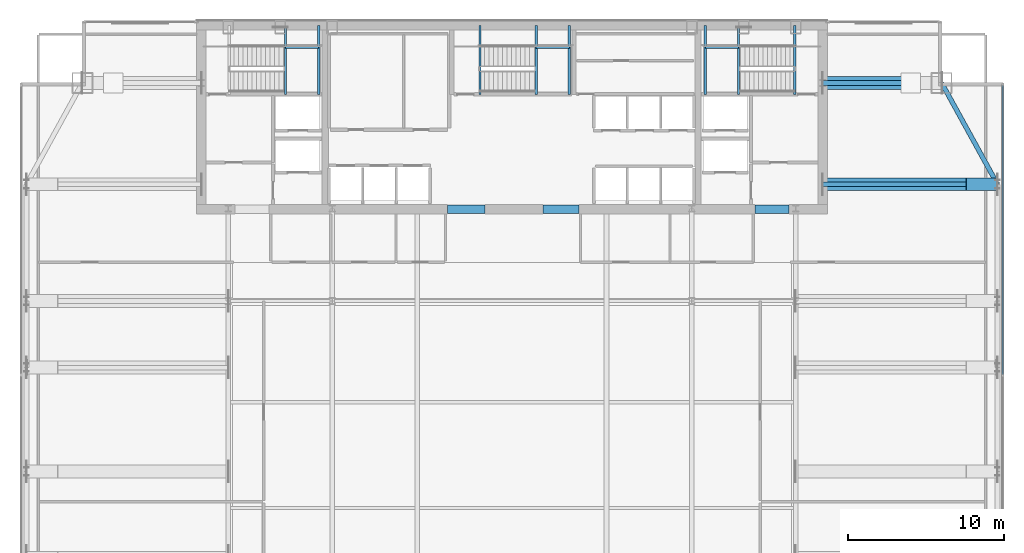
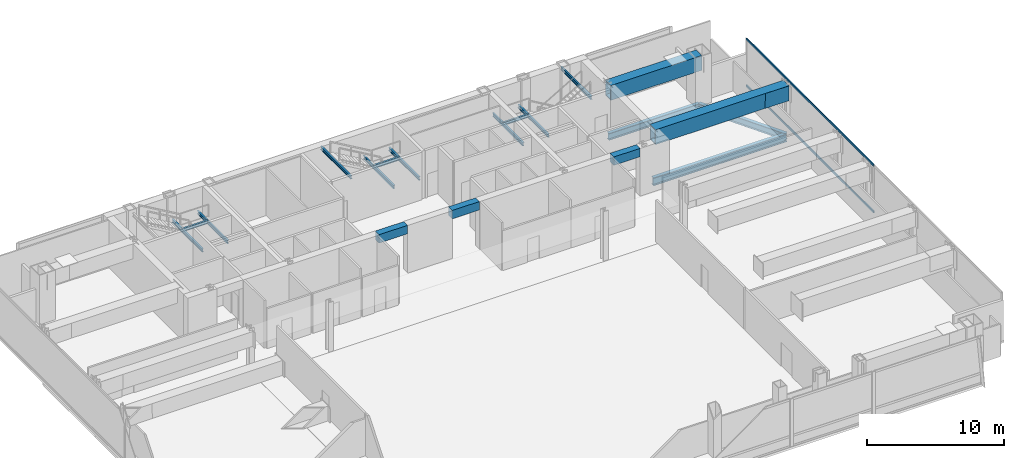
# One storey, part 18 of 25: 20 beams, 2 members, 1 element without a shape of its own.
"""IFC4 building model written with IfcOpenShell, lengths in metres."""

from ifc_helpers import new_model, si_unit, direction, frame, origin, origin_2d, place, context, subcontext, project, spatial, rectangle, hollow_rectangle, i_section, extrude, material, material_profile, profile_set, type_object, element, aggregate, save


model = new_model("IFC4")

# Units and contexts
model_context = context("Model", 3, precision=1e-05, world=origin(), true_north=direction((0.0, 1.0)))
body_context = subcontext(model_context, "Body", "Model", "MODEL_VIEW")
ifc_project = project(units=[si_unit("LENGTHUNIT", "METRE"), si_unit("AREAUNIT", "SQUARE_METRE"), si_unit("VOLUMEUNIT", "CUBIC_METRE"), si_unit("PLANEANGLEUNIT", "RADIAN"), si_unit("MASSUNIT", "GRAM", prefix="KILO")], contexts=[model_context])

# Site, building, storey
site_placement = place(None, origin())
site = spatial("IfcSite", under=ifc_project, at=site_placement, CompositionType="ELEMENT")
building_placement = place(site_placement, origin())
building = spatial("IfcBuilding", under=site, at=building_placement, Name="Khoronbel Lancet Exchange", CompositionType="ELEMENT")
storey_placement = place(building_placement, frame((0.0, 0.0, 184.199951171875)))
storey = spatial("IfcBuildingStorey", under=building, at=storey_placement, Name="L46", CompositionType="ELEMENT", Elevation=184.199951171875)

# Beams
ifc_material_1 = material(Name="Steel S355", Category="steel")
ifc_material_profile_1 = material_profile(ifc_material_1, i_section(OverallWidth=0.300048828125, OverallDepth=0.699951171875, WebThickness=0.01708984375, FlangeThickness=0.031982421875, at=origin_2d()), Name="HEB 700")
ifc_profile_set_1 = profile_set([ifc_material_profile_1], Name="Steel S355")
beam_type_1 = type_object("IfcBeamType", Name="BM-BG3", PredefinedType="BEAM", material=ifc_profile_set_1)
beam_1_placement = place(storey_placement, frame((56.39990234375, 43.199951171875, -0.550048828125), z_axis=(1.0, 0.0, 0.0), x_axis=(0.0, 1.0, 0.0)))
element("IfcBeam", 1, at=beam_1_placement, inside=storey, type_object=beam_type_1, Name="Level L46 east lens tie girder LG3E", PredefinedType="BEAM", context=body_context, shape_type="SweptSolid", body=[
    extrude(i_section(OverallWidth=0.300048828125, OverallDepth=0.699951171875, WebThickness=0.01708984375, FlangeThickness=0.031982421875, at=origin_2d()), origin(), (0.0, 0.0, 1.0), 11.22998046875),
])
ifc_material_profile_2 = material_profile(ifc_material_1, i_section(OverallWidth=0.14990234375, OverallDepth=0.300048828125, WebThickness=0.007080078125, FlangeThickness=0.0107421875, at=origin_2d()), Name="IPE 300")
ifc_profile_set_2 = profile_set([ifc_material_profile_2], Name="Steel S355")
beam_type_2 = type_object("IfcBeamType", Name="BM-BJ8", PredefinedType="JOIST", material=ifc_profile_set_2)
for number, where, z_axis, x_axis, name in (
    (2, (21.89990234375, 48.97998046875, 1.85009765625), (0.0, 1.0, 0.0), (-1.0, 0.0, 0.0), "Level L46 stair ST1 landing bearer beam 1"),
    (3, (24.030029296875, 48.97998046875, 1.85009765625), (0.0, 1.0, 0.0), (-1.0, 0.0, 0.0), "Level L46 stair ST1 rear landing bearer beam 1"),
):
    element("IfcBeam", number, at=place(storey_placement, frame(where, z_axis=z_axis, x_axis=x_axis)), inside=storey, type_object=beam_type_2, Name=name, PredefinedType="JOIST", context=body_context, shape_type="SweptSolid", body=[
        extrude(i_section(OverallWidth=0.14990234375, OverallDepth=0.300048828125, WebThickness=0.007080078125, FlangeThickness=0.0107421875, at=origin_2d()), origin(), (0.0, 0.0, 1.0), 4.419921875),
    ])
beam_2_placement = place(storey_placement, frame((21.89990234375, 51.97998046875, 1.85009765625), z_axis=(1.0, 0.0, 0.0), x_axis=(0.0, 1.0, 0.0)))
element("IfcBeam", 4, at=beam_2_placement, inside=storey, type_object=beam_type_2, Name="Level L46 stair ST1 landing cross trimmer beam 1", PredefinedType="JOIST", context=body_context, shape_type="SweptSolid", body=[
    extrude(i_section(OverallWidth=0.14990234375, OverallDepth=0.300048828125, WebThickness=0.007080078125, FlangeThickness=0.0107421875, at=origin_2d()), origin(), (0.0, 0.0, 1.0), 2.130126953125),
])
for number, where, z_axis, x_axis, name in (
    (5, (51.0, 48.97998046875, 1.85009765625), (0.0, 1.0, 0.0), (-1.0, 0.0, 0.0), "Level L46 stair ST2 landing bearer beam 1"),
    (6, (48.8701171875, 48.97998046875, 1.85009765625), (0.0, 1.0, 0.0), (-1.0, 0.0, 0.0), "Level L46 stair ST2 rear landing bearer beam 1"),
):
    element("IfcBeam", number, at=place(storey_placement, frame(where, z_axis=z_axis, x_axis=x_axis)), inside=storey, type_object=beam_type_2, Name=name, PredefinedType="JOIST", context=body_context, shape_type="SweptSolid", body=[
        extrude(i_section(OverallWidth=0.14990234375, OverallDepth=0.300048828125, WebThickness=0.007080078125, FlangeThickness=0.0107421875, at=origin_2d()), origin(), (0.0, 0.0, 1.0), 4.419921875),
    ])
beam_3_placement = place(storey_placement, frame((48.8701171875, 51.97998046875, 1.85009765625), z_axis=(1.0, 0.0, 0.0), x_axis=(0.0, 1.0, 0.0)))
element("IfcBeam", 7, at=beam_3_placement, inside=storey, type_object=beam_type_2, Name="Level L46 stair ST2 landing cross trimmer beam 1", PredefinedType="JOIST", context=body_context, shape_type="SweptSolid", body=[
    extrude(i_section(OverallWidth=0.14990234375, OverallDepth=0.300048828125, WebThickness=0.007080078125, FlangeThickness=0.0107421875, at=origin_2d()), origin(), (0.0, 0.0, 1.0), 2.1298828125),
])
for number, where, z_axis, x_axis, name in (
    (8, (54.60009765625, 48.97998046875, 3.9599609375), (0.0, 1.0, 0.0), (-1.0, 0.0, 0.0), "Level L46 stair ST2 upper-flight arrival trimmer beam"),
    (9, (38.0, 48.97998046875, 1.85009765625), (0.0, 1.0, 0.0), (-1.0, 0.0, 0.0), "Level L46 stair ST3 landing bearer beam 1"),
    (10, (40.1298828125, 48.97998046875, 1.85009765625), (0.0, 1.0, 0.0), (-1.0, 0.0, 0.0), "Level L46 stair ST3 rear landing bearer beam 1"),
):
    element("IfcBeam", number, at=place(storey_placement, frame(where, z_axis=z_axis, x_axis=x_axis)), inside=storey, type_object=beam_type_2, Name=name, PredefinedType="JOIST", context=body_context, shape_type="SweptSolid", body=[
        extrude(i_section(OverallWidth=0.14990234375, OverallDepth=0.300048828125, WebThickness=0.007080078125, FlangeThickness=0.0107421875, at=origin_2d()), origin(), (0.0, 0.0, 1.0), 4.419921875),
    ])
beam_4_placement = place(storey_placement, frame((38.0, 51.97998046875, 1.85009765625), z_axis=(1.0, 0.0, 0.0), x_axis=(0.0, 1.0, 0.0)))
element("IfcBeam", 11, at=beam_4_placement, inside=storey, type_object=beam_type_2, Name="Level L46 stair ST3 landing cross trimmer beam 1", PredefinedType="JOIST", context=body_context, shape_type="SweptSolid", body=[
    extrude(i_section(OverallWidth=0.14990234375, OverallDepth=0.300048828125, WebThickness=0.007080078125, FlangeThickness=0.0107421875, at=origin_2d()), origin(), (0.0, 0.0, 1.0), 2.1298828125),
])
beam_5_placement = place(storey_placement, frame((34.39990234375, 48.97998046875, 3.9599609375), z_axis=(0.0, 1.0, 0.0), x_axis=(-1.0, 0.0, 0.0)))
element("IfcBeam", 12, at=beam_5_placement, inside=storey, type_object=beam_type_2, Name="Level L46 stair ST3 upper-flight arrival trimmer beam", PredefinedType="JOIST", context=body_context, shape_type="SweptSolid", body=[
    extrude(i_section(OverallWidth=0.14990234375, OverallDepth=0.300048828125, WebThickness=0.007080078125, FlangeThickness=0.0107421875, at=origin_2d()), origin(), (0.0, 0.0, 1.0), 4.419921875),
])
ifc_material_2 = material(Name="Concrete C60/75", Category="concrete")
ifc_material_profile_3 = material_profile(ifc_material_2, rectangle(XDim=0.550048828125, YDim=0.75, at=origin_2d()), Name="RC 550x750")
ifc_profile_set_3 = profile_set([ifc_material_profile_3], Name="Concrete C60/75")
beam_type_3 = type_object("IfcBeamType", Name="BM-BL2", PredefinedType="LINTEL", material=ifc_profile_set_3)
beam_6_placement = place(storey_placement, frame((32.300048828125, 41.60009765625, 3.864990234375), z_axis=(1.0, 0.0, 0.0), x_axis=(0.0, 1.0, 0.0)))
element("IfcBeam", 13, at=beam_6_placement, inside=storey, type_object=beam_type_3, Name="Level L46 rear core coupling lintel L2", PredefinedType="LINTEL", context=body_context, shape_type="SweptSolid", body=[
    extrude(rectangle(XDim=0.550048828125, YDim=0.75, at=origin_2d()), origin(), (0.0, 0.0, 1.0), 2.39990234375),
])
beam_7_placement = place(storey_placement, frame((38.449951171875, 41.60009765625, 3.864990234375), z_axis=(1.0, 0.0, 0.0), x_axis=(0.0, 1.0, 0.0)))
element("IfcBeam", 14, at=beam_7_placement, inside=storey, type_object=beam_type_3, Name="Level L46 rear core coupling lintel L3", PredefinedType="LINTEL", context=body_context, shape_type="SweptSolid", body=[
    extrude(rectangle(XDim=0.550048828125, YDim=0.75, at=origin_2d()), origin(), (0.0, 0.0, 1.0), 2.300048828125),
])
beam_8_placement = place(storey_placement, frame((52.050048828125, 41.60009765625, 3.864990234375), z_axis=(1.0, 0.0, 0.0), x_axis=(0.0, 1.0, 0.0)))
element("IfcBeam", 15, at=beam_8_placement, inside=storey, type_object=beam_type_3, Name="Level L46 rear core coupling lintel L4", PredefinedType="LINTEL", context=body_context, shape_type="SweptSolid", body=[
    extrude(rectangle(XDim=0.550048828125, YDim=0.75, at=origin_2d()), origin(), (0.0, 0.0, 1.0), 2.199951171875),
])
ifc_material_profile_4 = material_profile(ifc_material_1, i_section(OverallWidth=0.300048828125, OverallDepth=0.60009765625, WebThickness=0.015380859375, FlangeThickness=0.030029296875, at=origin_2d()), Name="HEB 600")
ifc_profile_set_4 = profile_set([ifc_material_profile_4], Name="Steel S355")
beam_type_4 = type_object("IfcBeamType", Name="BM-BSP2", PredefinedType="SPANDREL", material=ifc_profile_set_4)
beam_9_placement = place(storey_placement, frame((67.6298828125, 43.199951171875, -0.5), z_axis=(-0.482418808117, 0.875940690672, 0.0), x_axis=(-0.875940690672, -0.482418808117, 0.0)))
element("IfcBeam", 16, at=beam_9_placement, inside=storey, type_object=beam_type_4, Name="Level L46 perimeter spandrel beam SP15", PredefinedType="SPANDREL", context=body_context, shape_type="SweptSolid", body=[
    extrude(i_section(OverallWidth=0.300048828125, OverallDepth=0.60009765625, WebThickness=0.015380859375, FlangeThickness=0.030029296875, at=origin_2d()), origin(), (0.0, 0.0, 1.0), 7.420654296875),
])
beam_10_placement = place(storey_placement, frame((64.050048828125, 49.699951171875, -0.5), z_axis=(-1.0, 0.0, 0.0), x_axis=(0.0, -1.0, 0.0)))
element("IfcBeam", 17, at=beam_10_placement, inside=storey, type_object=beam_type_4, Name="Level L46 north flank tie spandrel SP23", PredefinedType="SPANDREL", context=body_context, shape_type="SweptSolid", body=[
    extrude(i_section(OverallWidth=0.300048828125, OverallDepth=0.60009765625, WebThickness=0.015380859375, FlangeThickness=0.030029296875, at=origin_2d()), origin(), (0.0, 0.0, 1.0), 7.650146484375),
])
ifc_material_3 = material(Name="Steel S460", Category="steel")
ifc_material_profile_5 = material_profile(ifc_material_3, hollow_rectangle(XDim=0.820068359375, YDim=1.320068359375, WallThickness=0.070068359375, at=origin_2d()), Name="BOX 820x1320x70")
ifc_profile_set_5 = profile_set([ifc_material_profile_5], Name="Steel S460")
beam_type_5 = type_object("IfcBeamType", Name="BM-TG4", PredefinedType="USERDEFINED", material=ifc_profile_set_5)
beam_11_placement = place(storey_placement, frame((67.6298828125, 43.199951171875, 3.56005859375), z_axis=(-0.99994990606, 0.0, 0.010009264196), x_axis=(0.0, -1.0, 0.0)))
element("IfcBeam", 18, at=beam_11_placement, inside=storey, type_object=beam_type_5, Name="Setback transfer knee-brace girder L46-EC-4", ObjectType="TRANSFER GIRDER", PredefinedType="USERDEFINED", context=body_context, shape_type="SweptSolid", body=[
    extrude(hollow_rectangle(XDim=0.820068359375, YDim=1.320068359375, WallThickness=0.070068359375, at=origin_2d()), origin(), (0.0, 0.0, 1.0), 2.0),
])
beam_12_placement = place(storey_placement, frame((56.39990234375, 49.699951171875, 3.580078125), z_axis=(1.0, 0.0, 0.0), x_axis=(0.0, 1.0, 0.0)))
element("IfcBeam", 19, at=beam_12_placement, inside=storey, type_object=beam_type_5, Name="Corner mega-column setback transfer girder L46-NE", ObjectType="TRANSFER GIRDER", PredefinedType="USERDEFINED", context=body_context, shape_type="SweptSolid", body=[
    extrude(hollow_rectangle(XDim=0.820068359375, YDim=1.320068359375, WallThickness=0.070068359375, at=origin_2d()), origin(), (0.0, 0.0, 1.0), 7.650146484375),
])
beam_13_placement = place(storey_placement, frame((56.39990234375, 43.199951171875, 3.580078125), z_axis=(1.0, 0.0, 0.0), x_axis=(0.0, 1.0, 0.0)))
element("IfcBeam", 20, at=beam_13_placement, inside=storey, type_object=beam_type_5, Name="Lens setback S460 transfer girder L46-E5", ObjectType="TRANSFER GIRDER", PredefinedType="USERDEFINED", context=body_context, shape_type="SweptSolid", body=[
    extrude(hollow_rectangle(XDim=0.820068359375, YDim=1.320068359375, WallThickness=0.070068359375, at=origin_2d()), origin(), (0.0, 0.0, 1.0), 11.22998046875),
])

# Curtain wall, members
ifc_material_4 = material(Name="Low-E Solar Control Insulating Glass", Category="glass")
curtain_wall_type = type_object("IfcCurtainWallType", Name="CW-4", PredefinedType="NOTDEFINED", material=ifc_material_4)
curtain_wall_placement = place(storey_placement, origin())
curtain_wall = element("IfcCurtainWall", 21, at=curtain_wall_placement, inside=storey, type_object=curtain_wall_type, Name="Unitised curtain wall CW-L46-E09", PredefinedType="NOTDEFINED")
ifc_material_5 = material(Name="Bronze-Anodised Aluminium 6063-T6", Category="aluminium")
ifc_material_profile_6 = material_profile(ifc_material_5, hollow_rectangle(XDim=0.0849609375, YDim=0.179931640625, WallThickness=0.0048828125, at=origin_2d()), Name="ALU TRANSOM 85x180")
ifc_profile_set_6 = profile_set([ifc_material_profile_6], Name="Bronze-Anodised Aluminium 6063-T6")
member_type = type_object("IfcMemberType", Name="MEM-CWT1", PredefinedType="USERDEFINED", material=ifc_profile_set_6)
member_1_placement = place(storey_placement, frame((67.9599609375, 49.534912109375, 0.04248046875), z_axis=(0.0, -1.0, 0.0), x_axis=(1.0, 0.0, 0.0)))
member_1 = element("IfcMember", 22, at=member_1_placement, type_object=member_type, Name="CW4 transom 1.1", ObjectType="TRANSOM", PredefinedType="USERDEFINED", context=body_context, shape_type="SweptSolid", body=[
    extrude(hollow_rectangle(XDim=0.0849609375, YDim=0.179931640625, WallThickness=0.0048828125, at=origin_2d()), origin(), (0.0, 0.0, 1.0), 18.54736328125),
])
member_2_placement = place(storey_placement, frame((67.9599609375, 49.534912109375, 4.197509765625), z_axis=(0.0, -1.0, 0.0), x_axis=(1.0, 0.0, 0.0)))
member_2 = element("IfcMember", 23, at=member_2_placement, type_object=member_type, Name="CW4 transom 1.2", ObjectType="TRANSOM", PredefinedType="USERDEFINED", context=body_context, shape_type="SweptSolid", body=[
    extrude(hollow_rectangle(XDim=0.0849609375, YDim=0.179931640625, WallThickness=0.0048828125, at=origin_2d()), origin(), (0.0, 0.0, 1.0), 18.54736328125),
])
aggregate(curtain_wall, [member_1, member_2])

save(model, "model.ifc")
